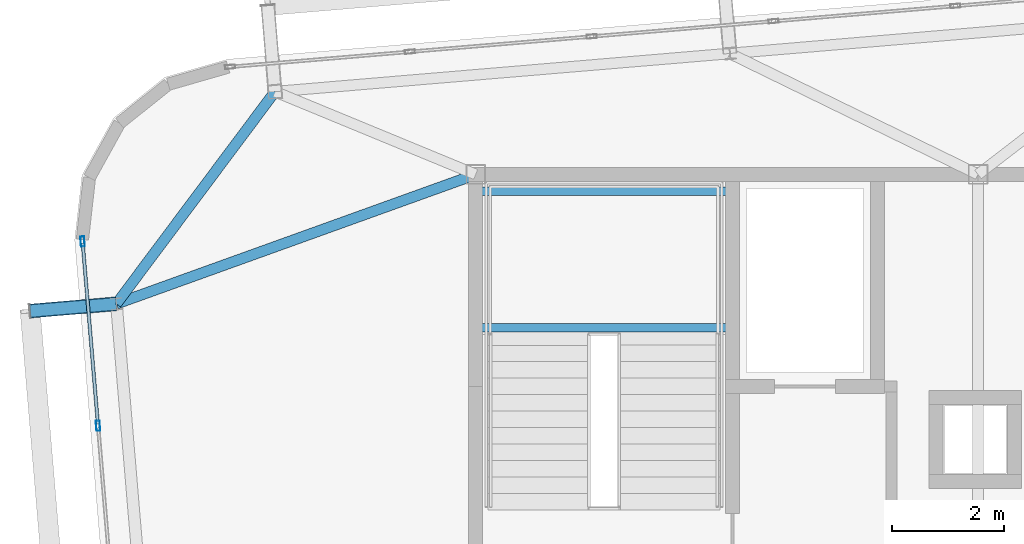
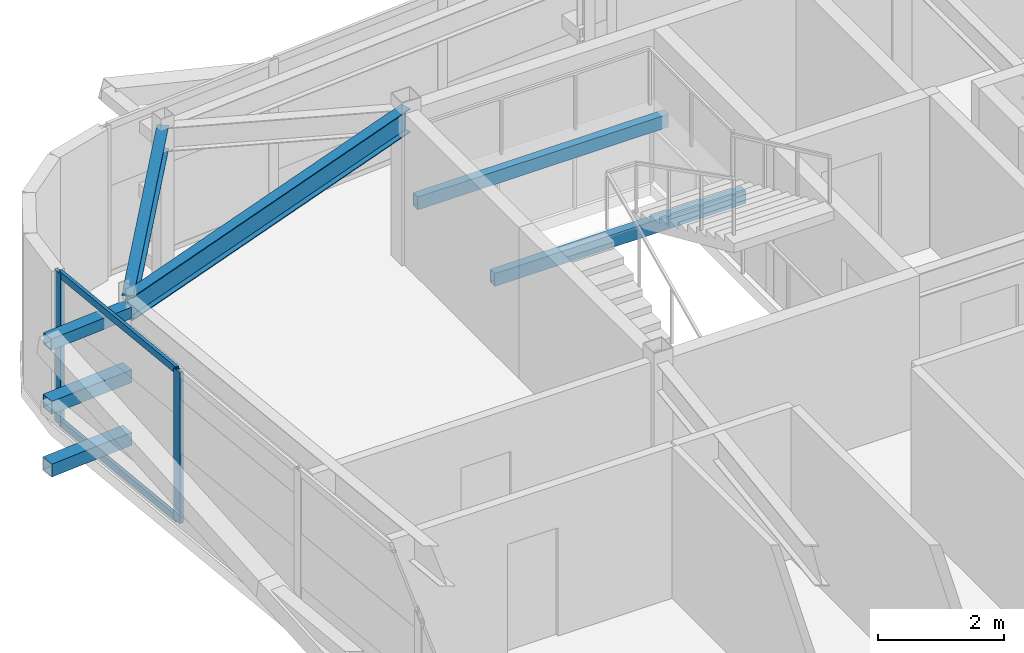
# One storey, part 17 of 46: 7 members, 4 beams, 1 element without a shape of its own.
"""IFC4 building model written with IfcOpenShell, lengths in metres."""

from ifc_helpers import new_model, si_unit, direction, frame, origin, origin_2d, place, context, subcontext, project, spatial, hollow_rectangle, i_section, extrude, source, transform, mapped, material, layer, layer_set, material_profile, profile_set, type_object, element, aggregate, save


model = new_model("IFC4")

# Units and contexts
model_context = context("Model", 3, precision=1e-05, world=origin(), true_north=direction((0.0, 1.0)))
body_context = subcontext(model_context, "Body", "Model", "MODEL_VIEW")
ifc_project = project(units=[si_unit("LENGTHUNIT", "METRE"), si_unit("AREAUNIT", "SQUARE_METRE"), si_unit("VOLUMEUNIT", "CUBIC_METRE"), si_unit("PLANEANGLEUNIT", "RADIAN"), si_unit("MASSUNIT", "GRAM", prefix="KILO")], contexts=[model_context])

# Site, building, storey
site_placement = place(None, origin())
site = spatial("IfcSite", under=ifc_project, at=site_placement, CompositionType="ELEMENT")
building_placement = place(site_placement, origin())
building = spatial("IfcBuilding", under=site, at=building_placement, Name="Taldren Reach Tower", CompositionType="ELEMENT")
storey_placement = place(building_placement, frame((0.0, 0.0, 194.60009765625)))
storey = spatial("IfcBuildingStorey", under=building, at=storey_placement, Name="L59", CompositionType="ELEMENT", Elevation=194.60009765625)

# Beams
ifc_material_1 = material(Name="Steel Gr 350 (350PLUS)", Category="steel")
ifc_material_profile_1 = material_profile(ifc_material_1, i_section(OverallWidth=0.18994140625, OverallDepth=0.4541015625, WebThickness=0.008544921875, FlangeThickness=0.0126953125, at=origin_2d()), Name="460UB67.1")
ifc_profile_set_1 = profile_set([ifc_material_profile_1], Name="Steel Gr 350 (350PLUS)")
beam_type_1 = type_object("IfcBeamType", Name="SP-UB460B", PredefinedType="SPANDREL", material=ifc_profile_set_1)
shared_shape_1 = source(origin(), body_context, "Body", "SweptSolid", [
    extrude(i_section(OverallWidth=0.18994140625, OverallDepth=0.4541015625, WebThickness=0.008544921875, FlangeThickness=0.0126953125, at=origin_2d()), origin(), (0.0, 0.0, 1.0), 4.74609375),
])
beam_1_placement = place(storey_placement, frame((15.40380859375, 33.483642578125, 2.702880859375), z_axis=(-0.598764719121, -0.800924972226, 0.0), x_axis=(0.800924972226, -0.598764719121, 0.0)))
element("IfcBeam", 1, at=beam_1_placement, inside=storey, type_object=beam_type_1, Name="Perimeter spandrel B4 N1-W3 L59", PredefinedType="SPANDREL", context=body_context, shape_type="MappedRepresentation", body=[
    mapped(shared_shape_1, transform((0.0, 0.0, 0.0), scale=1.0)),
])
ifc_material_profile_2 = material_profile(ifc_material_1, i_section(OverallWidth=0.19091796875, OverallDepth=0.4599609375, WebThickness=0.010009765625, FlangeThickness=0.01611328125, at=origin_2d()), Name="460UB82.1")
ifc_profile_set_2 = profile_set([ifc_material_profile_2], Name="Steel Gr 350 (350PLUS)")
beam_type_2 = type_object("IfcBeamType", Name="BM-UB460A", PredefinedType="BEAM", material=ifc_profile_set_2)
shared_shape_2 = source(origin(), body_context, "Body", "SweptSolid", [
    extrude(i_section(OverallWidth=0.19091796875, OverallDepth=0.4599609375, WebThickness=0.010009765625, FlangeThickness=0.01611328125, at=origin_2d()), origin(), (0.0, 0.0, 1.0), 6.842529296875),
])
beam_2_placement = place(storey_placement, frame((19.0, 32.0, 2.699951171875), z_axis=(-0.940889686088, -0.33871315093, 0.0), x_axis=(0.33871315093, -0.940889686088, 0.0)))
element("IfcBeam", 2, at=beam_2_placement, inside=storey, type_object=beam_type_2, Name="Primary floor girder B4-W3 L59", PredefinedType="BEAM", context=body_context, shape_type="MappedRepresentation", body=[
    mapped(shared_shape_2, transform((0.0, 0.0, 0.0), scale=1.0)),
])

# Members
ifc_material_2 = material(Name="Steel Gr 450 (C450L0)", Category="steel")
ifc_material_profile_3 = material_profile(ifc_material_2, hollow_rectangle(XDim=0.219970703125, YDim=0.219970703125, WallThickness=0.00830078125, at=origin_2d()), Name="220x220x8.2SHS")
ifc_profile_set_3 = profile_set([ifc_material_profile_3], Name="Steel Gr 450 (C450L0)")
member_type_1 = type_object("IfcMemberType", Name="MB-TIE219", PredefinedType="STRUT", material=ifc_profile_set_3)
shared_shape_3 = source(origin(), body_context, "Body", "SweptSolid", [
    extrude(hollow_rectangle(XDim=0.219970703125, YDim=0.219970703125, WallThickness=0.00830078125, at=origin_2d()), origin(), (0.0, 0.0, 1.0), 1.54541015625),
])
member_1_placement = place(storey_placement, frame((12.557373046875, 29.68212890625, 2.64990234375), z_axis=(-0.99648887425, -0.083725285883, 0.0), x_axis=(0.083725285883, -0.99648887425, 0.0)))
element("IfcMember", 3, at=member_1_placement, inside=storey, type_object=member_type_1, Name="Exoskeleton diaphragm tie strut B4-W3 L59", PredefinedType="STRUT", context=body_context, shape_type="MappedRepresentation", body=[
    mapped(shared_shape_3, transform((0.0, 0.0, 0.0), scale=1.0)),
])
ifc_material_3 = material(Name="Steel Gr 350 (C350L0)", Category="steel")
ifc_material_profile_4 = material_profile(ifc_material_3, hollow_rectangle(XDim=0.25, YDim=0.25, WallThickness=0.010009765625, at=origin_2d()), Name="250x250x10.0SHS")
ifc_profile_set_4 = profile_set([ifc_material_profile_4], Name="Steel Gr 350 (C350L0)")
member_type_2 = type_object("IfcMemberType", Name="MB-POST250", PredefinedType="POST", material=ifc_profile_set_4)
shared_shape_4 = source(origin(), body_context, "Body", "SweptSolid", [
    extrude(hollow_rectangle(XDim=0.25, YDim=0.25, WallThickness=0.010009765625, at=origin_2d()), origin(), (0.0, 0.0, 1.0), 1.54541015625),
])
for number, where, z_axis, x_axis, name in (
    (4, (12.557373046875, 29.68212890625, 0.219970703125), (-0.99648887425, -0.083725285883, 0.0), (0.083725285883, -0.99648887425, 0.0), "Exoskeleton base diaphragm tie strut B4-W3 L59"),
    (5, (12.557373046875, 29.68212890625, 1.434814453125), (-0.99648887425, -0.083725285883, 0.0), (0.083725285883, -0.99648887425, 0.0), "Exoskeleton mid-tier diaphragm tie B4-W3 L59"),
):
    element("IfcMember", number, at=place(storey_placement, frame(where, z_axis=z_axis, x_axis=x_axis)), inside=storey, type_object=member_type_2, Name=name, PredefinedType="POST", context=body_context, shape_type="MappedRepresentation", body=[
        mapped(shared_shape_4, transform((0.0, 0.0, 0.0), scale=1.0)),
    ])

# Curtain wall, members
ifc_material_4 = material(Name="Aluminium and Low-E Glass Unitised System", Category="aluminium")
ifc_layer = layer(ifc_material_4, 0.159912109375)
ifc_layer_set = layer_set([ifc_layer], Name="Aluminium and Low-E Glass Unitised System")
curtain_wall_type = type_object("IfcCurtainWallType", Name="CW-SYS-5", PredefinedType="NOTDEFINED", material=ifc_layer_set)
curtain_wall_placement = place(storey_placement, origin())
curtain_wall = element("IfcCurtainWall", 6, at=curtain_wall_placement, inside=storey, type_object=curtain_wall_type, Name="Unitised curtain wall CW-L59-W", PredefinedType="NOTDEFINED")
ifc_material_5 = material(Name="Anodised Aluminium 6063-T6", Category="aluminium")
ifc_material_profile_5 = material_profile(ifc_material_5, hollow_rectangle(XDim=0.070068359375, YDim=0.179931640625, WallThickness=0.00390625, at=origin_2d()), Name="ALU-180x70x4RHS")
ifc_profile_set_5 = profile_set([ifc_material_profile_5], Name="Anodised Aluminium 6063-T6")
member_type_3 = type_object("IfcMemberType", Name="CW-MUL-180", PredefinedType="MULLION", material=ifc_profile_set_5)
shared_shape_5 = source(origin(), body_context, "Body", "SweptSolid", [
    extrude(hollow_rectangle(XDim=0.070068359375, YDim=0.179931640625, WallThickness=0.00390625, at=origin_2d()), origin(), (0.0, 0.0, 1.0), 2.929931640625),
])
member_2_placement = place(storey_placement, frame((11.956298828125, 30.800537109375, 0.0), z_axis=(0.0, 0.0, 1.0), x_axis=(0.996492847789, 0.083677979808, 0.0)))
member_2 = element("IfcMember", 7, at=member_2_placement, type_object=member_type_3, Name="CW-5 mullion 1", PredefinedType="MULLION", context=body_context, shape_type="MappedRepresentation", body=[
    mapped(shared_shape_5, transform((0.0, 0.0, 0.0), scale=1.0)),
])
member_3_placement = place(storey_placement, frame((12.233642578125, 27.497314453125, 0.0), z_axis=(0.0, 0.0, 1.0), x_axis=(0.996492847789, 0.083677979808, 0.0)))
member_3 = element("IfcMember", 8, at=member_3_placement, type_object=member_type_3, Name="CW-5 mullion 2", PredefinedType="MULLION", context=body_context, shape_type="MappedRepresentation", body=[
    mapped(shared_shape_5, transform((0.0, 0.0, 0.0), scale=1.0)),
])
ifc_material_profile_6 = material_profile(ifc_material_5, hollow_rectangle(XDim=0.06005859375, YDim=0.135009765625, WallThickness=0.00341796875, at=origin_2d()), Name="ALU-135x60x3.5RHS")
ifc_profile_set_6 = profile_set([ifc_material_profile_6], Name="Anodised Aluminium 6063-T6")
member_type_4 = type_object("IfcMemberType", Name="CW-TRN-150", PredefinedType="USERDEFINED", material=ifc_profile_set_6)
shared_shape_6 = source(origin(), body_context, "Body", "SweptSolid", [
    extrude(hollow_rectangle(XDim=0.06005859375, YDim=0.135009765625, WallThickness=0.00341796875, at=origin_2d()), origin(), (0.0, 0.0, 1.0), 3.2451171875),
])
member_4_placement = place(storey_placement, frame((11.959228515625, 30.765869140625, 0.02978515625), z_axis=(0.083661876203, -0.996494199918, 0.0), x_axis=(0.996494199918, 0.083661876203, 0.0)))
member_4 = element("IfcMember", 9, at=member_4_placement, type_object=member_type_4, Name="CW-5 transom 1.1", ObjectType="TRANSOM", PredefinedType="USERDEFINED", context=body_context, shape_type="MappedRepresentation", body=[
    mapped(shared_shape_6, transform((0.0, 0.0, 0.0), scale=1.0)),
])
member_5_placement = place(storey_placement, frame((11.959228515625, 30.765869140625, 2.89990234375), z_axis=(0.083661876203, -0.996494199918, 0.0), x_axis=(0.996494199918, 0.083661876203, 0.0)))
member_5 = element("IfcMember", 10, at=member_5_placement, type_object=member_type_4, Name="CW-5 transom 1.2", ObjectType="TRANSOM", PredefinedType="USERDEFINED", context=body_context, shape_type="MappedRepresentation", body=[
    mapped(shared_shape_6, transform((0.0, 0.0, 0.0), scale=1.0)),
])
aggregate(curtain_wall, [member_2, member_3, member_4, member_5])

# Beams
ifc_material_profile_7 = material_profile(ifc_material_3, hollow_rectangle(XDim=0.14990234375, YDim=0.25, WallThickness=0.009033203125, at=origin_2d()), Name="250x150x9.0RHS")
ifc_profile_set_7 = profile_set([ifc_material_profile_7], Name="Steel Gr 350 (C350L0)")
beam_type_3 = type_object("IfcBeamType", Name="LN-RHS250", PredefinedType="LINTEL", material=ifc_profile_set_7)
shared_shape_7 = source(origin(), body_context, "Body", "SweptSolid", [
    extrude(hollow_rectangle(XDim=0.14990234375, YDim=0.25, WallThickness=0.009033203125, at=origin_2d()), origin(), (0.0, 0.0, 1.0), 4.60009765625),
])
for number, where, z_axis, x_axis, name in (
    (11, (19.0, 29.2548828125, 1.27001953125), (1.0, 0.0, 0.0), (0.0, 1.0, 0.0), "Stair half-landing support beam ST1-L59-1"),
    (12, (19.0, 31.699951171875, 1.27001953125), (1.0, 0.0, 0.0), (0.0, 1.0, 0.0), "Stair half-landing support beam ST1-L59-2"),
):
    element("IfcBeam", number, at=place(storey_placement, frame(where, z_axis=z_axis, x_axis=x_axis)), inside=storey, type_object=beam_type_3, Name=name, PredefinedType="LINTEL", context=body_context, shape_type="MappedRepresentation", body=[
        mapped(shared_shape_7, transform((0.0, 0.0, 0.0), scale=1.0)),
    ])

save(model, "model.ifc")
